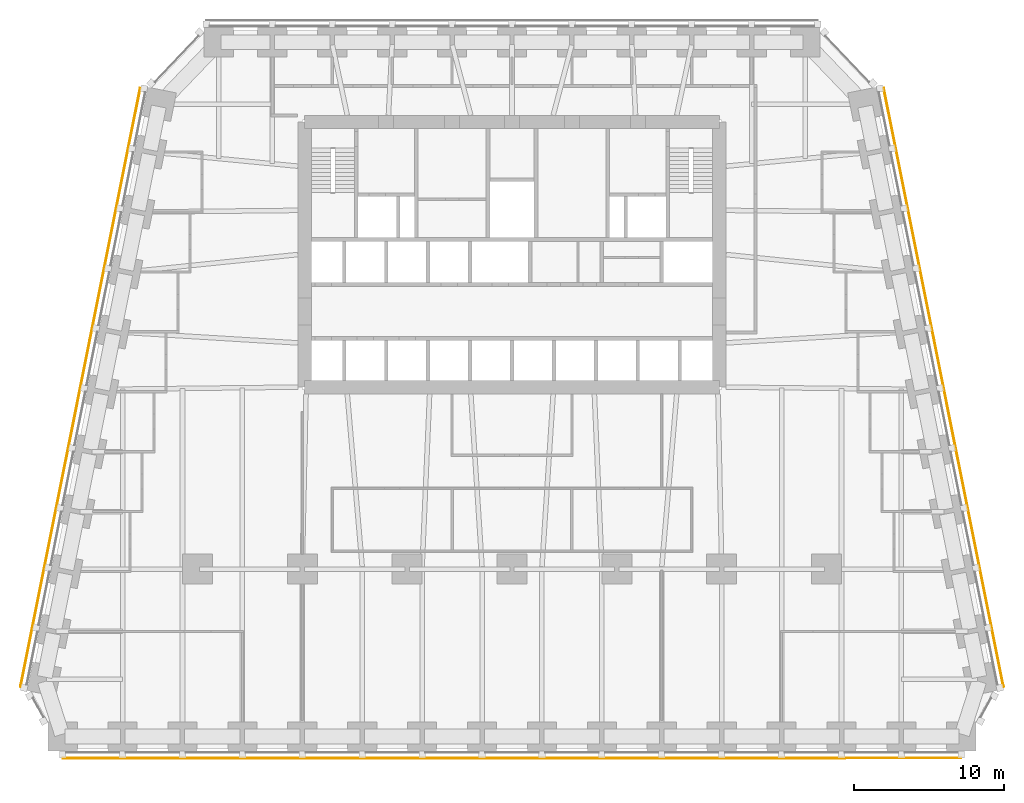
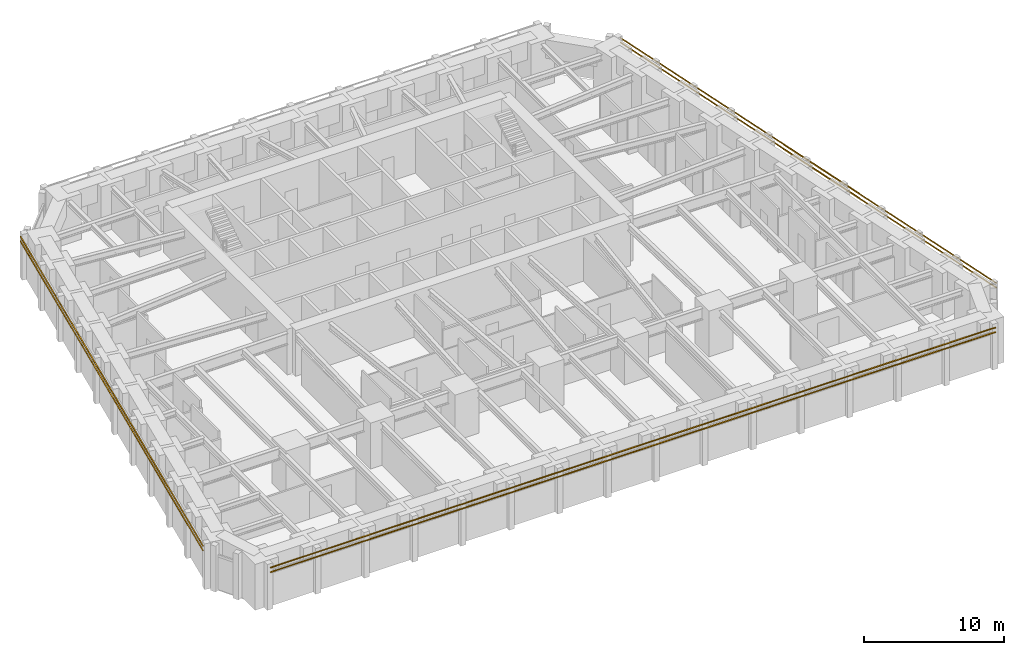
# One storey, part 9 of 10: 6 shading devices.
"""IFC4 building model written with IfcOpenShell, lengths in metres."""

from ifc_helpers import new_model, si_unit, direction, frame, origin, origin_2d, place, context, subcontext, project, spatial, rectangle, extrude, material, material_profile, profile_set, type_object, element, save


model = new_model("IFC4")

# Units and contexts
model_context = context("Model", 3, precision=1e-05, world=origin(), true_north=direction((0.0, 1.0)))
body_context = subcontext(model_context, "Body", "Model", "MODEL_VIEW")
ifc_project = project(units=[si_unit("LENGTHUNIT", "METRE"), si_unit("AREAUNIT", "SQUARE_METRE"), si_unit("VOLUMEUNIT", "CUBIC_METRE"), si_unit("PLANEANGLEUNIT", "RADIAN"), si_unit("MASSUNIT", "GRAM", prefix="KILO")], contexts=[model_context])

# Site, building, storey
site_placement = place(None, origin())
site = spatial("IfcSite", under=ifc_project, at=site_placement, CompositionType="ELEMENT")
building_placement = place(site_placement, origin())
building = spatial("IfcBuilding", under=site, at=building_placement, Name="Isbrekke Arena Tower", CompositionType="ELEMENT")
storey_placement = place(building_placement, frame((0.0, 0.0, 88.0)))
storey = spatial("IfcBuildingStorey", under=building, at=storey_placement, Name="L19", CompositionType="ELEMENT", Elevation=88.0)

# Shading devices
ifc_material = material(Name="Terracotta", Category="masonry")
ifc_material_profile = material_profile(ifc_material, rectangle(XDim=0.06005859375, YDim=0.06005859375, at=origin_2d()), Name="BAGUETTE 60X60")
ifc_profile_set = profile_set([ifc_material_profile], Name="Terracotta")
shading_device_type = type_object("IfcShadingDeviceType", Name="BG1 TERRACOTTA BAGUETTE 60 x 60", PredefinedType="USERDEFINED", material=ifc_profile_set)
for number, where, z_axis, x_axis, name in (
    (1, (-30.0, -18.6298828125, 3.280029296875), (1.0, 0.0, 0.0), (0.0, 1.0, 0.0), "BG1 terracotta baguette S1 L19"),
    (2, (-30.0, -18.6298828125, 3.679931640625), (1.0, 0.0, 0.0), (0.0, 1.0, 0.0), "BG1 terracotta baguette S2 L19"),
):
    element("IfcShadingDevice", number, at=place(storey_placement, frame(where, z_axis=z_axis, x_axis=x_axis)), inside=storey, type_object=shading_device_type, Name=name, ObjectType="TERRACOTTA BAGUETTE", PredefinedType="USERDEFINED", context=body_context, shape_type="SweptSolid", body=[
        extrude(rectangle(XDim=0.06005859375, YDim=0.06005859375, at=origin_2d()), origin(), (0.0, 0.0, 1.0), 60.0),
    ])
for number, where, z_axis, x_axis, name in (
    (3, (32.81787109375, -13.87646484375, 3.280029296875), (-0.196116135138, 0.980580675691, 0.0), (-0.980580675691, -0.196116135138, 0.0), "BG1 terracotta baguette E1 L19"),
    (4, (32.81787109375, -13.87646484375, 3.679931640625), (-0.196116135138, 0.980580675691, 0.0), (-0.980580675691, -0.196116135138, 0.0), "BG1 terracotta baguette E2 L19"),
    (5, (-24.81787109375, 26.12353515625, 3.280029296875), (-0.196116135138, -0.980580675691, 0.0), (0.980580675691, -0.196116135138, 0.0), "BG1 terracotta baguette W1 L19"),
    (6, (-24.81787109375, 26.12353515625, 3.679931640625), (-0.196116135138, -0.980580675691, 0.0), (0.980580675691, -0.196116135138, 0.0), "BG1 terracotta baguette W2 L19"),
):
    element("IfcShadingDevice", number, at=place(storey_placement, frame(where, z_axis=z_axis, x_axis=x_axis)), inside=storey, type_object=shading_device_type, Name=name, ObjectType="TERRACOTTA BAGUETTE", PredefinedType="USERDEFINED", context=body_context, shape_type="SweptSolid", body=[
        extrude(rectangle(XDim=0.06005859375, YDim=0.06005859375, at=origin_2d()), origin(), (0.0, 0.0, 1.0), 40.792236328125),
    ])

save(model, "model.ifc")
